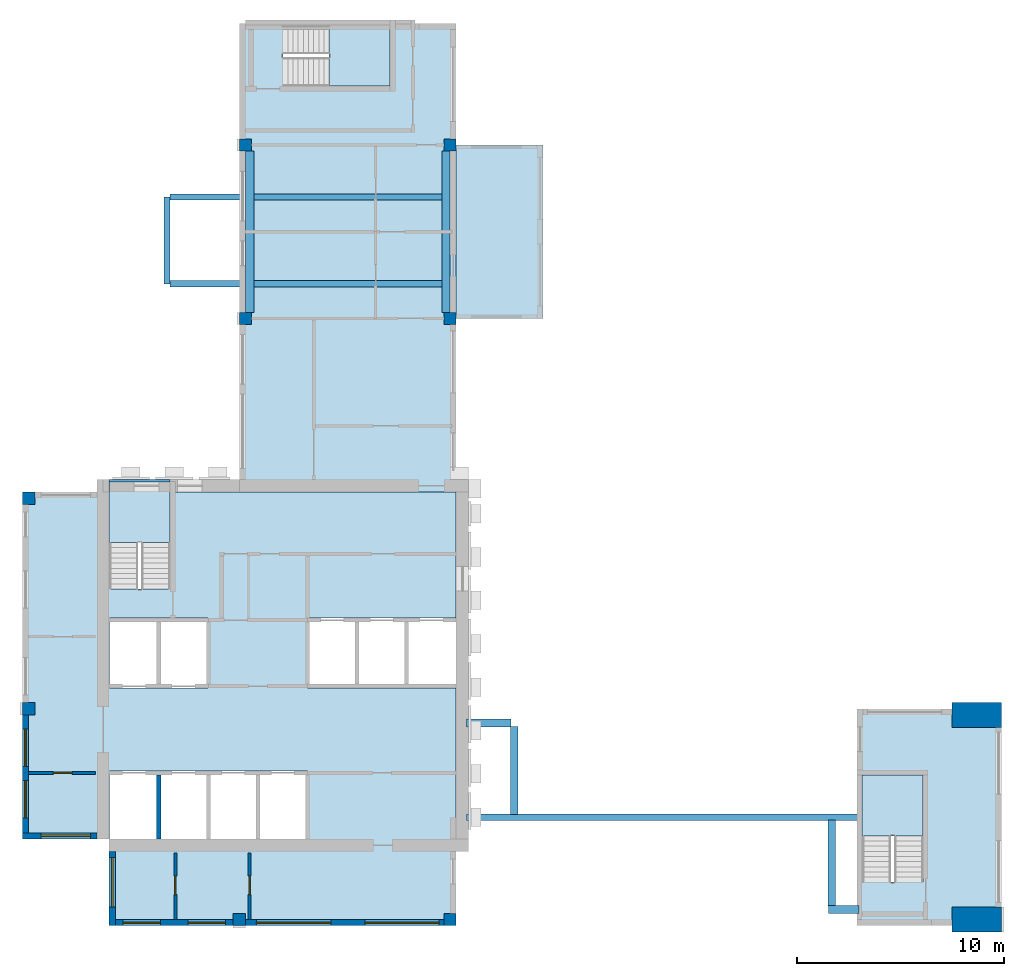
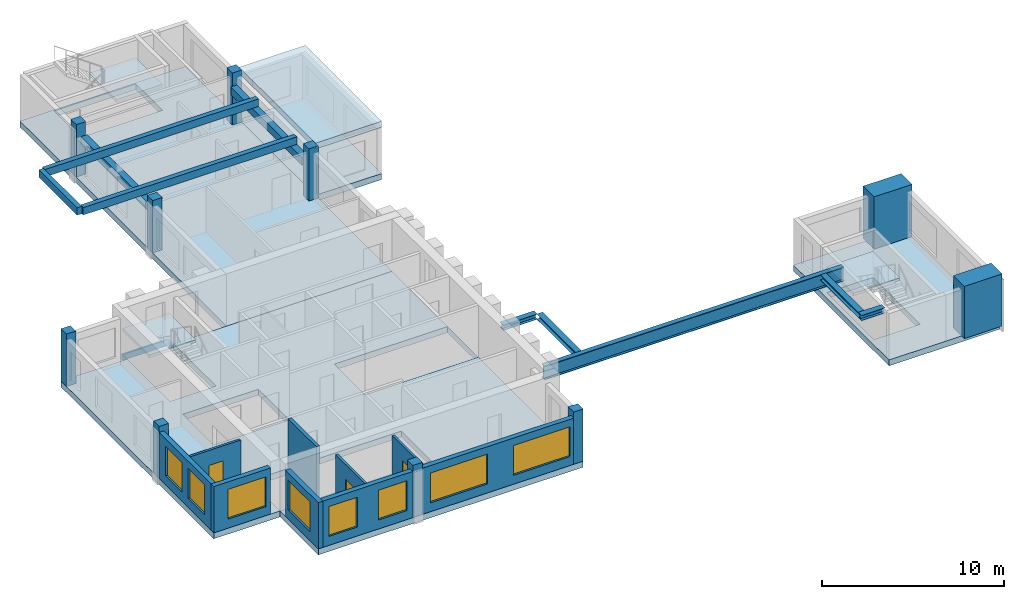
# One storey, part 1 of 8: 10 beams, 10 columns, 9 slabs, 9 walls, 8 windows, 3 doors, 11 openings, 3 elements without a shape of their own.
"""IFC4 building model written with IfcOpenShell, lengths in metres."""

import ifcopenshell
import ifcopenshell.guid

model = None  # the IFC model being written
_history = None  # IfcOwnerHistory: only IFC2X3 demands one
_inside = {}  # id of a spatial element -> (the spatial element, [elements in it])
_under = {}  # id of a project, library or spatial element -> (it, [spatial elements below it])
_declared = {}  # id of a project -> (the project, [libraries it declares])
_typed = {}  # id of a type object -> (the type object, [elements of that type])
_made_of = {}  # id of a material, layer set ... -> (it, [elements and type objects made of it])


def new_model(schema):
    """Start an empty IFC model of exactly this schema.

    Asked for "IFC4X3", IfcOpenShell would pick the latest addendum, in which some entities
    have other attributes; the version numbers below select the first issue.
    IFC2X3 requires an IfcOwnerHistory on every rooted entity: one is made here for all.
    """
    global model, _history
    if schema == "IFC4X3":
        model = ifcopenshell.file(schema_version=(4, 3, 0, 0))
    else:
        model = ifcopenshell.file(schema=schema)
    _inside.clear()
    _under.clear()
    _declared.clear()
    _typed.clear()
    _made_of.clear()
    _history = None
    if model.schema == "IFC2X3":
        org = make("IfcOrganization", Name="unknown")
        user = make(
            "IfcPersonAndOrganization",
            ThePerson=make("IfcPerson", FamilyName="unknown"),
            TheOrganization=org,
        )
        app = make(
            "IfcApplication",
            ApplicationDeveloper=org,
            Version="unknown",
            ApplicationFullName="unknown",
            ApplicationIdentifier="unknown",
        )
        _history = make(
            "IfcOwnerHistory",
            OwningUser=user,
            OwningApplication=app,
            ChangeAction="ADDED",
            CreationDate=0,
        )
    return model


def make(cls, **values):
    """One entity of the class cls with the attributes given. An attribute that is None is left unset."""
    return model.create_entity(
        cls, **{name: value for name, value in values.items() if value is not None}
    )


def rooted(cls, **values):
    """An entity with a GlobalId (a new one), such as an element, a storey or a relation."""
    return make(cls, GlobalId=ifcopenshell.guid.new(), OwnerHistory=_history, **values)


def si_unit(unit_type, name, prefix=None):
    """IfcSIUnit, for example si_unit("LENGTHUNIT", "METRE", prefix="MILLI")."""
    return make("IfcSIUnit", UnitType=unit_type, Prefix=prefix, Name=name)


def assignment(units):
    """IfcUnitAssignment: the units of a project."""
    return None if units is None else make("IfcUnitAssignment", Units=units)


def point(xyz):
    """IfcCartesianPoint."""
    return None if xyz is None else make("IfcCartesianPoint", Coordinates=xyz)


def direction(xyz):
    """IfcDirection."""
    return None if xyz is None else make("IfcDirection", DirectionRatios=xyz)


def frame(location, z_axis=None, x_axis=None):
    """IfcAxis2Placement3D, a coordinate frame: its origin and axes. An axis left out is left unset."""
    return make(
        "IfcAxis2Placement3D",
        Location=point(location),
        Axis=direction(z_axis),
        RefDirection=direction(x_axis),
    )


def frame_2d(location, x_axis=None):
    """IfcAxis2Placement2D, a coordinate frame in the plane: its origin and x axis."""
    return make(
        "IfcAxis2Placement2D", Location=point(location), RefDirection=direction(x_axis)
    )


def origin():
    """The frame at (0, 0, 0) with its axes left unset."""
    return frame((0.0, 0.0, 0.0))


def origin_2d():
    """The frame at (0, 0) in the plane with its x axis left unset."""
    return frame_2d((0.0, 0.0))


def place(relative_to, where):
    """IfcLocalPlacement: puts the frame where relative to a parent placement (None: the world)."""
    return make(
        "IfcLocalPlacement", PlacementRelTo=relative_to, RelativePlacement=where
    )


def context(
    kind, dimensions, precision=None, world=None, true_north=None, identifier=None
):
    """IfcGeometricRepresentationContext, for example the 3D "Model" context."""
    return make(
        "IfcGeometricRepresentationContext",
        ContextIdentifier=identifier,
        ContextType=kind,
        CoordinateSpaceDimension=dimensions,
        Precision=precision,
        WorldCoordinateSystem=world,
        TrueNorth=true_north,
    )


def subcontext(parent, identifier, kind, view, scale=None):
    """IfcGeometricRepresentationSubContext, for example "Body" below "Model"."""
    return make(
        "IfcGeometricRepresentationSubContext",
        ContextIdentifier=identifier,
        ContextType=kind,
        ParentContext=parent,
        TargetScale=scale,
        TargetView=view,
    )


def project(units=None, contexts=None):
    """IfcProject with its units and contexts."""
    return rooted(
        "IfcProject",
        Name="project",
        RepresentationContexts=contexts,
        UnitsInContext=assignment(units),
    )


def spatial(cls, under=None, at=None, **own):
    """A site, building, storey or space (cls), placed at a placement, below another one or the project."""
    s = rooted(cls, ObjectPlacement=at, **own)
    if under is not None:
        _under.setdefault(under.id(), (under, []))[1].append(s)
    return s


def polyline(points):
    """IfcPolyline through the points."""
    return make("IfcPolyline", Points=[point(p) for p in points])


def profile(cls, at=None, kind="AREA", **sizes):
    """A parametric profile (cls). Its sizes go by their IFC names, for example OverallWidth=200.0."""
    return make(cls, ProfileType=kind, Position=at, **sizes)


def rectangle(**sizes):
    """IfcRectangleProfileDef."""
    return profile("IfcRectangleProfileDef", **sizes)


def i_section(**sizes):
    """IfcIShapeProfileDef."""
    return profile("IfcIShapeProfileDef", **sizes)


def outline(outer, holes=None, kind="AREA"):
    """IfcArbitraryClosedProfileDef: a profile drawn as a closed curve; with holes, ...WithVoids."""
    if holes is None:
        return make("IfcArbitraryClosedProfileDef", ProfileType=kind, OuterCurve=outer)
    return make(
        "IfcArbitraryProfileDefWithVoids",
        ProfileType=kind,
        OuterCurve=outer,
        InnerCurves=holes,
    )


def extrude(swept, where, along, depth):
    """IfcExtrudedAreaSolid: the profile swept, set in the frame where, extruded along a direction by depth."""
    return make(
        "IfcExtrudedAreaSolid",
        SweptArea=swept,
        Position=where,
        ExtrudedDirection=direction(along),
        Depth=depth,
    )


def shape(context_of_items, identifier, shape_type, items):
    """IfcShapeRepresentation: the items that make up one representation, for example the "Body"."""
    return make(
        "IfcShapeRepresentation",
        ContextOfItems=context_of_items,
        RepresentationIdentifier=identifier,
        RepresentationType=shape_type,
        Items=items,
    )


def source(mapping_origin, context_of_items, identifier, shape_type, items):
    """IfcRepresentationMap: a shape defined once, which mapped items show again and again."""
    return make(
        "IfcRepresentationMap",
        MappingOrigin=mapping_origin,
        MappedRepresentation=shape(context_of_items, identifier, shape_type, items),
    )


def transform(
    local_origin,
    x_axis=None,
    y_axis=None,
    z_axis=None,
    scale=None,
    scale2=None,
    scale3=None,
    uniform=True,
):
    """IfcCartesianTransformationOperator3D, or its non-uniform kind. x_axis, y_axis, z_axis: its Axis1, 2, 3."""
    if uniform:
        return make(
            "IfcCartesianTransformationOperator3D",
            Axis1=direction(x_axis),
            Axis2=direction(y_axis),
            LocalOrigin=point(local_origin),
            Scale=scale,
            Axis3=direction(z_axis),
        )
    return make(
        "IfcCartesianTransformationOperator3DnonUniform",
        Axis1=direction(x_axis),
        Axis2=direction(y_axis),
        LocalOrigin=point(local_origin),
        Scale=scale,
        Axis3=direction(z_axis),
        Scale2=scale2,
        Scale3=scale3,
    )


def mapped(mapping_source, mapping_target):
    """IfcMappedItem: shows the shape of a source again, moved by a transform."""
    return make(
        "IfcMappedItem", MappingSource=mapping_source, MappingTarget=mapping_target
    )


def material(Name=None, Category=None):
    """IfcMaterial."""
    return make("IfcMaterial", Name=Name, Category=Category)


def layer(
    of_material, thickness, ventilated=None, Name=None, Category=None, Priority=None
):
    """IfcMaterialLayer: one layer of a wall or slab, of a material (None: an air gap)."""
    return make(
        "IfcMaterialLayer",
        Material=of_material,
        LayerThickness=thickness,
        IsVentilated=ventilated,
        Name=Name,
        Category=Category,
        Priority=Priority,
    )


def layer_set(layers, Name=None):
    """IfcMaterialLayerSet."""
    return make("IfcMaterialLayerSet", MaterialLayers=layers, LayerSetName=Name)


def material_profile(
    of_material, cross_section, Name=None, Category=None, Priority=None
):
    """IfcMaterialProfile: a cross section and its material."""
    return make(
        "IfcMaterialProfile",
        Name=Name,
        Material=of_material,
        Profile=cross_section,
        Priority=Priority,
        Category=Category,
    )


def profile_set(profiles, Name=None, composite=None):
    """IfcMaterialProfileSet."""
    return make(
        "IfcMaterialProfileSet",
        Name=Name,
        MaterialProfiles=profiles,
        CompositeProfile=composite,
    )


def made_of(thing, what):
    """Note that an element or type object is made of a material, layer set ...; save() writes the relation."""
    if what is not None:
        _made_of.setdefault(what.id(), (what, []))[1].append(thing)
    return thing


def type_object(cls, material=None, **own):
    """A type object (cls), such as IfcWallType, which elements share."""
    return made_of(rooted(cls, **own), material)


def element(
    cls,
    number,
    at=None,
    inside=None,
    cuts=None,
    type_object=None,
    material=None,
    context=None,
    identifier="Body",
    shape_type=None,
    held_by="IfcProductDefinitionShape",
    body=None,
    shapes=None,
    **own,
):
    """One element of the class cls, such as IfcWall. Its Tag is "e" and its number.

    at: its placement. inside: the storey or other place that contains it. cuts: it is an
    opening in that element (IfcRelVoidsElement). A single representation is given by context,
    identifier, shape_type and body (its items); several are given by shapes. held_by: the class
    of the entity that holds the representations. save() writes the other relations.
    """
    e = rooted(cls, Tag="e%d" % number, ObjectPlacement=at, **own)
    if body is not None:
        shapes = [shape(context, identifier, shape_type, body)]
    if shapes is not None:
        e.Representation = make(held_by, Representations=shapes)
    if inside is not None:
        _inside.setdefault(inside.id(), (inside, []))[1].append(e)
    if cuts is not None:
        rooted(
            "IfcRelVoidsElement", RelatingBuildingElement=cuts, RelatedOpeningElement=e
        )
    if type_object is not None:
        _typed.setdefault(type_object.id(), (type_object, []))[1].append(e)
    return made_of(e, material)


def fill(opening, filler):
    """IfcRelFillsElement: the door or window that sits in an opening."""
    return rooted(
        "IfcRelFillsElement",
        RelatingOpeningElement=opening,
        RelatedBuildingElement=filler,
    )


def aggregate(whole, parts):
    """IfcRelAggregates: a whole, such as a stair, and the parts it consists of."""
    return rooted("IfcRelAggregates", RelatingObject=whole, RelatedObjects=parts)


def save(model, path):
    """Write the relations noted so far, then the file.

    IfcRelAggregates (storeys below a building ...), IfcRelContainedInSpatialStructure (elements
    in a storey), IfcRelDefinesByType, IfcRelAssociatesMaterial and IfcRelDeclares: one each for
    every whole, place, type object, material and project.
    """
    for whole, parts in _under.values():
        aggregate(whole, parts)
    for where, things in _inside.values():
        rooted(
            "IfcRelContainedInSpatialStructure",
            RelatedElements=things,
            RelatingStructure=where,
        )
    for kind, things in _typed.values():
        rooted("IfcRelDefinesByType", RelatedObjects=things, RelatingType=kind)
    for what, things in _made_of.values():
        rooted("IfcRelAssociatesMaterial", RelatedObjects=things, RelatingMaterial=what)
    for by, libraries in _declared.values():
        rooted("IfcRelDeclares", RelatingContext=by, RelatedDefinitions=libraries)
    model.write(path)


model = new_model("IFC4")

# Units and contexts
model_context = context("Model", 3, precision=1e-05, world=origin(), true_north=direction((0.0, 1.0)))
body_context = subcontext(model_context, "Body", "Model", "MODEL_VIEW")
ifc_project = project(units=[si_unit("LENGTHUNIT", "METRE"), si_unit("AREAUNIT", "SQUARE_METRE"), si_unit("VOLUMEUNIT", "CUBIC_METRE"), si_unit("PLANEANGLEUNIT", "RADIAN"), si_unit("MASSUNIT", "GRAM", prefix="KILO")], contexts=[model_context])

# Site, building, storey
site_placement = place(None, origin())
site = spatial("IfcSite", under=ifc_project, at=site_placement, CompositionType="ELEMENT")
building_placement = place(site_placement, origin())
building = spatial("IfcBuilding", under=site, at=building_placement, Name="Aurelian Terraces", CompositionType="ELEMENT")
storey_placement = place(building_placement, frame((0.0, 0.0, 344.0)))
storey = spatial("IfcBuildingStorey", under=building, at=storey_placement, Name="L81", CompositionType="ELEMENT", Elevation=344.0)

# Columns
ifc_material_1 = material(Name="Concrete fc' 55 MPa", Category="concrete")
ifc_material_profile_1 = material_profile(ifc_material_1, rectangle(XDim=0.6, YDim=0.6, at=origin_2d()))
ifc_profile_set_1 = profile_set([ifc_material_profile_1], Name="Concrete fc' 55 MPa")
column_type_1 = type_object("IfcColumnType", Name="RC COLUMN 600X600 FC55", PredefinedType="COLUMN", material=ifc_profile_set_1)
shared_shape_1 = source(origin(), body_context, "Body", "SweptSolid", [
    extrude(rectangle(XDim=0.6, YDim=0.6, at=origin_2d()), origin(), (0.0, 0.0, 1.0), 3.5),
])
for number, where, z_axis, x_axis, name in (
    (1, (10.5, 0.3, 0.0), (0.0, 0.0, 1.0), (1.0, 0.0, 0.0), "Column 2/A L81"),
    (2, (20.7, 0.3, 0.0), (0.0, 0.0, 1.0), (1.0, 0.0, 0.0), "Column 3/A L81"),
    (3, (0.3, 10.5, 0.0), (0.0, 0.0, 1.0), (1.0, 0.0, 0.0), "Column 1/B L81"),
    (4, (0.3, 20.7, 0.0), (0.0, 0.0, 1.0), (1.0, 0.0, 0.0), "Column 1/C L81"),
    (5, (10.8, 29.4, 0.0), (0.0, 0.0, 1.0), (1.0, 0.0, 0.0), "Column 2/D L81"),
    (6, (20.7, 29.4, 0.0), (0.0, 0.0, 1.0), (1.0, 0.0, 0.0), "Column 3/D L81"),
    (7, (10.8, 37.8, 0.0), (0.0, 0.0, 1.0), (1.0, 0.0, 0.0), "Column 2/E L81"),
    (8, (20.7, 37.8, 0.0), (0.0, 0.0, 1.0), (1.0, 0.0, 0.0), "Column 3/E L81"),
):
    element("IfcColumn", number, at=place(storey_placement, frame(where, z_axis=z_axis, x_axis=x_axis)), inside=storey, type_object=column_type_1, Name=name, PredefinedType="COLUMN", context=body_context, shape_type="MappedRepresentation", body=[
        mapped(shared_shape_1, transform((0.0, 0.0, 0.0), scale=1.0)),
    ])
ifc_material_profile_2 = material_profile(ifc_material_1, rectangle(XDim=2.4, YDim=1.2, at=origin_2d()))
ifc_profile_set_2 = profile_set([ifc_material_profile_2], Name="Concrete fc' 55 MPa")
column_type_2 = type_object("IfcColumnType", Name="Portal jamb pilaster 2400x1200", PredefinedType="PILASTER", material=ifc_profile_set_2)
shared_shape_2 = source(origin(), body_context, "Body", "SweptSolid", [
    extrude(rectangle(XDim=2.4, YDim=1.2, at=origin_2d()), origin(), (0.0, 0.0, 1.0), 3.5),
])
for number, where, z_axis, x_axis, name in (
    (9, (46.2, 0.3, 0.0), (0.0, 0.0, 1.0), (1.0, 0.0, 0.0), "Column 6/A L81"),
    (10, (46.2, 10.2, 0.0), (0.0, 0.0, 1.0), (1.0, 0.0, 0.0), "Column 6/B L81"),
):
    element("IfcColumn", number, at=place(storey_placement, frame(where, z_axis=z_axis, x_axis=x_axis)), inside=storey, type_object=column_type_2, Name=name, PredefinedType="PILASTER", context=body_context, shape_type="MappedRepresentation", body=[
        mapped(shared_shape_2, transform((0.0, 0.0, 0.0), scale=1.0)),
    ])

# Beams
ifc_material_2 = material(Name="Steel ASTM A992 Gr50", Category="steel")
ifc_material_profile_3 = material_profile(ifc_material_2, i_section(OverallWidth=0.3077, OverallDepth=0.9268, WebThickness=0.0194, FlangeThickness=0.032, at=origin_2d()))
ifc_profile_set_3 = profile_set([ifc_material_profile_3], Name="Steel ASTM A992 Gr50")
beam_type_1 = type_object("IfcBeamType", Name="PC903 PORTAL CHORD W36X194", PredefinedType="BEAM", material=ifc_profile_set_3)
beam_1_placement = place(storey_placement, frame((21.5, 5.25, 2.6364), z_axis=(1.0, 0.0, 0.0), x_axis=(0.0, 1.0, 0.0)))
element("IfcBeam", 11, at=beam_1_placement, inside=storey, type_object=beam_type_1, Name="Link girder L82", PredefinedType="BEAM", context=body_context, shape_type="SweptSolid", body=[
    extrude(i_section(OverallWidth=0.3077, OverallDepth=0.9268, WebThickness=0.0194, FlangeThickness=0.032, at=origin_2d()), origin(), (0.0, 0.0, 1.0), 18.995),
])
ifc_material_profile_4 = material_profile(ifc_material_2, i_section(OverallWidth=0.3688, OverallDepth=0.3561, WebThickness=0.0112, FlangeThickness=0.018, at=origin_2d()))
ifc_profile_set_4 = profile_set([ifc_material_profile_4], Name="Steel ASTM A992 Gr50")
beam_type_2 = type_object("IfcBeamType", Name="PC904 PORTAL CHORD W14X90", PredefinedType="BEAM", material=ifc_profile_set_4)
beam_2_placement = place(storey_placement, frame((23.8156, 5.3839, 2.9218), z_axis=(0.0, 1.0, 0.0), x_axis=(-1.0, 0.0, 0.0)))
element("IfcBeam", 12, at=beam_2_placement, inside=storey, type_object=beam_type_2, Name="Link leg beam L82", PredefinedType="BEAM", context=body_context, shape_type="SweptSolid", body=[
    extrude(i_section(OverallWidth=0.3688, OverallDepth=0.3561, WebThickness=0.0112, FlangeThickness=0.018, at=origin_2d()), origin(), (0.0, 0.0, 1.0), 4.2673),
])
shared_shape_3 = source(origin(), body_context, "Body", "SweptSolid", [
    extrude(i_section(OverallWidth=0.3688, OverallDepth=0.3561, WebThickness=0.0112, FlangeThickness=0.018, at=origin_2d()), origin(), (0.0, 0.0, 1.0), 2.1512),
])
beam_3_placement = place(storey_placement, frame((21.5, 9.8156, 2.9218), z_axis=(1.0, 0.0, 0.0), x_axis=(0.0, 1.0, 0.0)))
element("IfcBeam", 13, at=beam_3_placement, inside=storey, type_object=beam_type_2, Name="Link leg cross beam L82", PredefinedType="BEAM", context=body_context, shape_type="MappedRepresentation", body=[
    mapped(shared_shape_3, transform((0.0, 0.0, 0.0), scale=1.0)),
])
shared_shape_4 = source(origin(), body_context, "Body", "SweptSolid", [
    extrude(i_section(OverallWidth=0.3688, OverallDepth=0.3561, WebThickness=0.0112, FlangeThickness=0.018, at=origin_2d()), origin(), (0.0, 0.0, 1.0), 4.1673),
])
beam_4_placement = place(storey_placement, frame((39.1844, 0.9488, 2.9218), z_axis=(0.0, 1.0, 0.0), x_axis=(-1.0, 0.0, 0.0)))
element("IfcBeam", 14, at=beam_4_placement, inside=storey, type_object=beam_type_2, Name="Link south leg beam L82", PredefinedType="BEAM", context=body_context, shape_type="MappedRepresentation", body=[
    mapped(shared_shape_4, transform((0.0, 0.0, 0.0), scale=1.0)),
])
shared_shape_5 = source(origin(), body_context, "Body", "SweptSolid", [
    extrude(i_section(OverallWidth=0.3688, OverallDepth=0.3561, WebThickness=0.0112, FlangeThickness=0.018, at=origin_2d()), origin(), (0.0, 0.0, 1.0), 1.475),
])
beam_5_placement = place(storey_placement, frame((39.02, 0.7844, 2.9218), z_axis=(1.0, 0.0, 0.0), x_axis=(0.0, 1.0, 0.0)))
element("IfcBeam", 15, at=beam_5_placement, inside=storey, type_object=beam_type_2, Name="Link south leg end beam L82", PredefinedType="BEAM", context=body_context, shape_type="MappedRepresentation", body=[
    mapped(shared_shape_5, transform((0.0, 0.0, 0.0), scale=1.0)),
])
ifc_material_3 = material(Name="Concrete fc' 40 MPa", Category="concrete")
ifc_material_profile_5 = material_profile(ifc_material_3, rectangle(XDim=0.3, YDim=0.5, at=origin_2d()))
ifc_profile_set_5 = profile_set([ifc_material_profile_5], Name="Concrete fc' 40 MPa")
beam_type_3 = type_object("IfcBeamType", Name="CONCRETE CANTILEVER BEAM 300X500", PredefinedType="BEAM", material=ifc_profile_set_5)
shared_shape_6 = source(origin(), body_context, "Body", "SweptSolid", [
    extrude(rectangle(XDim=0.3, YDim=0.5, at=origin_2d()), origin(), (0.0, 0.0, 1.0), 13.55),
])
for number, where, z_axis, x_axis, name in (
    (16, (7.15, 31.08, 2.85), (1.0, 0.0, 0.0), (0.0, 1.0, 0.0), "Box cantilever beam J95.1"),
    (17, (7.15, 35.28, 2.85), (1.0, 0.0, 0.0), (0.0, 1.0, 0.0), "Box cantilever beam J95.2"),
):
    element("IfcBeam", number, at=place(storey_placement, frame(where, z_axis=z_axis, x_axis=x_axis)), inside=storey, type_object=beam_type_3, Name=name, PredefinedType="BEAM", context=body_context, shape_type="MappedRepresentation", body=[
        mapped(shared_shape_6, transform((0.0, 0.0, 0.0), scale=1.0)),
    ])
shared_shape_7 = source(origin(), body_context, "Body", "SweptSolid", [
    extrude(rectangle(XDim=0.3, YDim=0.5, at=origin_2d()), origin(), (0.0, 0.0, 1.0), 4.2),
])
beam_6_placement = place(storey_placement, frame((7.0, 31.08, 2.85), z_axis=(0.0, 1.0, 0.0), x_axis=(-1.0, 0.0, 0.0)))
element("IfcBeam", 18, at=beam_6_placement, inside=storey, type_object=beam_type_3, Name="Box tip beam J95", PredefinedType="BEAM", context=body_context, shape_type="MappedRepresentation", body=[
    mapped(shared_shape_7, transform((0.0, 0.0, 0.0), scale=1.0)),
])
ifc_material_profile_6 = material_profile(ifc_material_3, rectangle(XDim=0.4, YDim=0.5, at=origin_2d()))
ifc_profile_set_6 = profile_set([ifc_material_profile_6], Name="Concrete fc' 40 MPa")
beam_type_4 = type_object("IfcBeamType", Name="CONCRETE EDGE GIRDER 400X500", PredefinedType="BEAM", material=ifc_profile_set_6)
shared_shape_8 = source(origin(), body_context, "Body", "SweptSolid", [
    extrude(rectangle(XDim=0.4, YDim=0.5, at=origin_2d()), origin(), (0.0, 0.0, 1.0), 7.8),
])
for number, where, z_axis, x_axis, name in (
    (19, (11.0, 29.7, 2.35), (0.0, 1.0, 0.0), (-1.0, 0.0, 0.0), "Box girder L81 O183"),
    (20, (20.5, 29.7, 2.35), (0.0, 1.0, 0.0), (-1.0, 0.0, 0.0), "Box girder L81 I184"),
):
    element("IfcBeam", number, at=place(storey_placement, frame(where, z_axis=z_axis, x_axis=x_axis)), inside=storey, type_object=beam_type_4, Name=name, PredefinedType="BEAM", context=body_context, shape_type="MappedRepresentation", body=[
        mapped(shared_shape_8, transform((0.0, 0.0, 0.0), scale=1.0)),
    ])

# Slabs
ifc_layer_1 = layer(ifc_material_3, 0.4)
ifc_layer_set_1 = layer_set([ifc_layer_1], Name="PT FLAT PLATE 400")
slab_type_1 = type_object("IfcSlabType", Name="PT FLAT PLATE 400", PredefinedType="FLOOR", material=ifc_layer_set_1)
shared_shape_9 = source(origin(), body_context, "Body", "SweptSolid", [
    extrude(outline(polyline([(10.5, 43.68), (14.7, 43.68), (16.8, 43.68), (21.0, 43.68), (21.0, 21.0), (10.5, 21.0), (10.5, 43.68)]), holes=[polyline([(17.79, 43.59), (12.61, 43.59), (12.61, 40.66), (17.79, 40.66), (17.79, 43.59)])]), origin(), (0.0, 0.0, 1.0), 0.4),
])
slab_1_placement = place(storey_placement, frame((0.0, 0.0, -0.4)))
element("IfcSlab", 21, at=slab_1_placement, inside=storey, type_object=slab_type_1, Name="Floor slab W L81", PredefinedType="FLOOR", context=body_context, shape_type="MappedRepresentation", body=[
    mapped(shared_shape_9, transform((0.0, 0.0, 0.0), scale=1.0)),
])
shared_shape_10 = source(origin(), body_context, "Body", "SweptSolid", [
    extrude(outline(polyline([(4.2, 21.0), (4.2, 21.6), (7.15, 21.6), (7.15, 21.0), (7.14, 21.0), (7.14, 21.49), (4.21, 21.49), (4.21, 21.0), (4.2, 21.0)])), origin(), (0.0, 0.0, 1.0), 0.4),
])
slab_2_placement = place(storey_placement, frame((0.0, 0.0, -0.4)))
element("IfcSlab", 22, at=slab_2_placement, inside=storey, type_object=slab_type_1, Name="Floor slab W2 L81", PredefinedType="FLOOR", context=body_context, shape_type="MappedRepresentation", body=[
    mapped(shared_shape_10, transform((0.0, 0.0, 0.0), scale=1.0)),
])
shared_shape_11 = source(origin(), body_context, "Body", "SweptSolid", [
    extrude(outline(polyline([(0.0, 4.2), (0.0, 10.5), (0.0, 21.0), (4.21, 21.0), (4.21, 16.31), (7.14, 16.31), (7.14, 21.0), (21.0, 21.0), (21.0, 10.5), (21.0, 0.0), (4.2, 0.0), (4.2, 4.2), (0.0, 4.2)]), holes=[polyline([(13.81, 14.89), (13.81, 11.51), (20.99, 11.51), (20.99, 14.89), (13.81, 14.89)]), polyline([(4.21, 7.49), (4.21, 4.21), (13.79, 4.21), (13.79, 7.49), (4.21, 7.49)]), polyline([(8.99, 11.51), (8.99, 14.89), (4.21, 14.89), (4.21, 11.51), (8.99, 11.51)])]), origin(), (0.0, 0.0, 1.0), 0.4),
])
slab_3_placement = place(storey_placement, frame((0.0, 0.0, -0.4)))
element("IfcSlab", 23, at=slab_3_placement, inside=storey, type_object=slab_type_1, Name="Floor slab S L81", PredefinedType="FLOOR", context=body_context, shape_type="MappedRepresentation", body=[
    mapped(shared_shape_11, transform((0.0, 0.0, 0.0), scale=1.0)),
])
shared_shape_12 = source(origin(), body_context, "Body", "SweptSolid", [
    extrude(outline(polyline([(40.4, 10.5), (47.4, 10.5), (47.4, 0.0), (40.4, 0.0), (40.4, 0.2), (40.4, 7.55), (40.4, 10.5)]), holes=[polyline([(40.66, 2.11), (43.59, 2.11), (43.59, 7.29), (40.66, 7.29), (40.66, 2.11)])]), origin(), (0.0, 0.0, 1.0), 0.4),
])
slab_4_placement = place(storey_placement, frame((0.0, 0.0, -0.4)))
element("IfcSlab", 24, at=slab_4_placement, inside=storey, type_object=slab_type_1, Name="Floor slab S2 L81", PredefinedType="FLOOR", context=body_context, shape_type="MappedRepresentation", body=[
    mapped(shared_shape_12, transform((0.0, 0.0, 0.0), scale=1.0)),
])
ifc_layer_2 = layer(ifc_material_3, 0.41)
ifc_layer_set_2 = layer_set([ifc_layer_2], Name="Box floor 410")
slab_type_2 = type_object("IfcSlabType", Name="Box floor 410", PredefinedType="NOTDEFINED", material=ifc_layer_set_2)
shared_shape_13 = source(origin(), body_context, "Body", "SweptSolid", [
    extrude(outline(polyline([(25.2, 29.4), (25.2, 37.8), (21.0, 37.8), (21.0, 29.4), (25.2, 29.4)])), origin(), (0.0, 0.0, 1.0), 0.41),
])
slab_5_placement = place(storey_placement, frame((0.0, 0.0, -0.41)))
element("IfcSlab", 25, at=slab_5_placement, inside=storey, type_object=slab_type_2, Name="Box floor L81 J94", PredefinedType="NOTDEFINED", context=body_context, shape_type="MappedRepresentation", body=[
    mapped(shared_shape_13, transform((0.0, 0.0, 0.0), scale=1.0)),
])
ifc_layer_3 = layer(ifc_material_3, 0.4)
ifc_layer_set_3 = layer_set([ifc_layer_3], Name="Box roof 400")
slab_type_3 = type_object("IfcSlabType", Name="Box roof 400", PredefinedType="ROOF", material=ifc_layer_set_3)
shared_shape_14 = source(origin(), body_context, "Body", "SweptSolid", [
    extrude(outline(polyline([(25.2, 29.4), (25.2, 37.8), (21.0, 37.8), (21.0, 29.4), (25.2, 29.4)])), origin(), (0.0, 0.0, 1.0), 0.4),
])
slab_6_placement = place(storey_placement, frame((0.0, 0.0, 3.1)))
element("IfcSlab", 26, at=slab_6_placement, inside=storey, type_object=slab_type_3, Name="Box roof J94", PredefinedType="ROOF", context=body_context, shape_type="MappedRepresentation", body=[
    mapped(shared_shape_14, transform((0.0, 0.0, 0.0), scale=1.0)),
])

# Stair, slab
stair_type = type_object("IfcStairType", Name="Stair 1400", PredefinedType="HALF_TURN_STAIR", material=ifc_material_3)
stair_1_placement = place(storey_placement, origin())
stair_1 = element("IfcStair", 27, at=stair_1_placement, inside=storey, type_object=stair_type, Name="L81 S1", PredefinedType="HALF_TURN_STAIR")
ifc_layer_4 = layer(ifc_material_3, 0.2)
ifc_layer_set_4 = layer_set([ifc_layer_4], Name="Stair landing 200")
slab_type_4 = type_object("IfcSlabType", Name="Stair landing 200", PredefinedType="LANDING", material=ifc_layer_set_4)
shared_shape_15 = source(origin(), body_context, "Body", "SweptSolid", [
    extrude(outline(polyline([(7.15, 18.55), (7.15, 21.5), (4.2, 21.5), (4.2, 18.55), (7.15, 18.55)])), origin(), (0.0, 0.0, 1.0), 0.2),
])
slab_7_placement = place(storey_placement, frame((0.0, 0.0, 1.55)))
slab_7 = element("IfcSlab", 28, at=slab_7_placement, type_object=slab_type_4, Name="S1 landing 1", PredefinedType="LANDING", context=body_context, shape_type="MappedRepresentation", body=[
    mapped(shared_shape_15, transform((0.0, 0.0, 0.0), scale=1.0)),
])
aggregate(stair_1, [slab_7])

stair_2_placement = place(storey_placement, origin())
stair_2 = element("IfcStair", 29, at=stair_2_placement, inside=storey, type_object=stair_type, Name="L81 S2", PredefinedType="HALF_TURN_STAIR")
shared_shape_16 = source(origin(), body_context, "Body", "SweptSolid", [
    extrude(outline(polyline([(43.6, 4.35), (43.6, 7.3), (40.65, 7.3), (40.65, 4.35), (43.6, 4.35)])), origin(), (0.0, 0.0, 1.0), 0.2),
])
slab_8_placement = place(storey_placement, frame((0.0, 0.0, 1.55)))
slab_8 = element("IfcSlab", 30, at=slab_8_placement, type_object=slab_type_4, Name="S2 landing 1", PredefinedType="LANDING", context=body_context, shape_type="MappedRepresentation", body=[
    mapped(shared_shape_16, transform((0.0, 0.0, 0.0), scale=1.0)),
])
aggregate(stair_2, [slab_8])

stair_3_placement = place(storey_placement, origin())
stair_3 = element("IfcStair", 31, at=stair_3_placement, inside=storey, type_object=stair_type, Name="L81 S3U", PredefinedType="HALF_TURN_STAIR")
shared_shape_17 = source(origin(), body_context, "Body", "SweptSolid", [
    extrude(outline(polyline([(14.85, 40.65), (17.8, 40.65), (17.8, 43.6), (14.85, 43.6), (14.85, 40.65)])), origin(), (0.0, 0.0, 1.0), 0.2),
])
slab_9_placement = place(storey_placement, frame((0.0, 0.0, 1.55)))
slab_9 = element("IfcSlab", 32, at=slab_9_placement, type_object=slab_type_4, Name="S3U landing 1", PredefinedType="LANDING", context=body_context, shape_type="MappedRepresentation", body=[
    mapped(shared_shape_17, transform((0.0, 0.0, 0.0), scale=1.0)),
])
aggregate(stair_3, [slab_9])

# Wall, opening, window
ifc_material_4 = material(Name="Terracotta rainscreen cladding", Category="masonry")
ifc_layer_5 = layer(ifc_material_4, 0.3)
ifc_layer_set_5 = layer_set([ifc_layer_5], Name="EW-300")
wall_type_1 = type_object("IfcWallType", Name="EW-300", PredefinedType="STANDARD", material=ifc_layer_set_5)
shared_shape_18 = source(origin(), body_context, "Body", "SweptSolid", [
    extrude(rectangle(XDim=3.6, YDim=0.3, at=frame_2d((1.8, 0.0))), origin(), (0.0, 0.0, 1.0), 3.1),
])
wall_1_placement = place(storey_placement, frame((0.0, 4.35, 0.0), z_axis=(0.0, 0.0, 1.0), x_axis=(1.0, 0.0, 0.0)))
wall_1 = element("IfcWall", 33, at=wall_1_placement, inside=storey, type_object=wall_type_1, Name="External wall L81 F11.17", PredefinedType="STANDARD", context=body_context, shape_type="MappedRepresentation", body=[
    mapped(shared_shape_18, transform((0.0, 0.0, 0.0), scale=1.0)),
])
shared_shape_19 = source(origin(), body_context, "Body", "SweptSolid", [
    extrude(rectangle(XDim=2.4, YDim=2.0, at=frame_2d((1.2, 1.0))), frame((0.0, 0.16, 0.0), z_axis=(0.0, -1.0, 0.0), x_axis=(1.0, 0.0, 0.0)), (0.0, 0.0, 1.0), 0.32),
])
opening_1_placement = place(wall_1_placement, frame((0.9, 0.0, 0.6)))
opening_1 = element("IfcOpeningElement", 34, at=opening_1_placement, cuts=wall_1, Name="Opening W2420", PredefinedType="OPENING", context=body_context, shape_type="MappedRepresentation", body=[
    mapped(shared_shape_19, transform((0.0, 0.0, 0.0), scale=1.0)),
])
ifc_material_5 = material(Name="Clear glazing", Category="glass")
window_type_1 = type_object("IfcWindowType", Name="W-2400x2000", PartitioningType="SINGLE_PANEL", PredefinedType="WINDOW", material=ifc_material_5)
shared_shape_20 = source(origin(), body_context, "Body", "SweptSolid", [
    extrude(rectangle(XDim=2.4, YDim=2.0, at=frame_2d((1.2, 1.0))), frame((0.0, 0.03, 0.0), z_axis=(0.0, -1.0, 0.0), x_axis=(1.0, 0.0, 0.0)), (0.0, 0.0, 1.0), 0.06),
])
window_1_placement = place(opening_1_placement, origin())
window_1 = element("IfcWindow", 35, at=window_1_placement, inside=storey, type_object=window_type_1, Name="Window L81 L81-F11-17-0", OverallHeight=2.0, OverallWidth=2.4, PartitioningType="SINGLE_PANEL", PredefinedType="WINDOW", context=body_context, shape_type="MappedRepresentation", body=[
    mapped(shared_shape_20, transform((0.0, 0.0, 0.0), scale=1.0)),
])
fill(opening_1, window_1)

wall_2_placement = place(storey_placement, frame((4.35, 3.6, 0.0), z_axis=(0.0, 0.0, 1.0), x_axis=(0.0, -1.0, 0.0)))
wall_2 = element("IfcWall", 36, at=wall_2_placement, inside=storey, type_object=wall_type_1, Name="External wall L81 F12.18", PredefinedType="STANDARD", context=body_context, shape_type="MappedRepresentation", body=[
    mapped(shared_shape_18, transform((0.0, 0.0, 0.0), scale=1.0)),
])
opening_2_placement = place(wall_2_placement, frame((0.3, 0.0, 0.6)))
opening_2 = element("IfcOpeningElement", 37, at=opening_2_placement, cuts=wall_2, Name="Opening W2420", PredefinedType="OPENING", context=body_context, shape_type="MappedRepresentation", body=[
    mapped(shared_shape_19, transform((0.0, 0.0, 0.0), scale=1.0)),
])
window_2_placement = place(opening_2_placement, origin())
window_2 = element("IfcWindow", 38, at=window_2_placement, inside=storey, type_object=window_type_1, Name="Window L81 L81-F12-18-0", OverallHeight=2.0, OverallWidth=2.4, PartitioningType="SINGLE_PANEL", PredefinedType="WINDOW", context=body_context, shape_type="MappedRepresentation", body=[
    mapped(shared_shape_20, transform((0.0, 0.0, 0.0), scale=1.0)),
])
fill(opening_2, window_2)

# Wall, openings, windows
shared_shape_21 = source(origin(), body_context, "Body", "SweptSolid", [
    extrude(rectangle(XDim=6.0, YDim=0.3, at=frame_2d((3.0, 0.0))), origin(), (0.0, 0.0, 1.0), 3.1),
])
wall_3_placement = place(storey_placement, frame((4.2, 0.15, 0.0), z_axis=(0.0, 0.0, 1.0), x_axis=(1.0, 0.0, 0.0)))
wall_3 = element("IfcWall", 39, at=wall_3_placement, inside=storey, type_object=wall_type_1, Name="External wall L81 F01.1", PredefinedType="STANDARD", context=body_context, shape_type="MappedRepresentation", body=[
    mapped(shared_shape_21, transform((0.0, 0.0, 0.0), scale=1.0)),
])
shared_shape_22 = source(origin(), body_context, "Body", "SweptSolid", [
    extrude(rectangle(XDim=1.8, YDim=2.0, at=frame_2d((0.9, 1.0))), frame((0.0, 0.16, 0.0), z_axis=(0.0, -1.0, 0.0), x_axis=(1.0, 0.0, 0.0)), (0.0, 0.0, 1.0), 0.32),
])
opening_3_placement = place(wall_3_placement, frame((0.675, 0.0, 0.6)))
opening_3 = element("IfcOpeningElement", 40, at=opening_3_placement, cuts=wall_3, Name="Opening W1820", PredefinedType="OPENING", context=body_context, shape_type="MappedRepresentation", body=[
    mapped(shared_shape_22, transform((0.0, 0.0, 0.0), scale=1.0)),
])
opening_4_placement = place(wall_3_placement, frame((3.825, 0.0, 0.6)))
opening_4 = element("IfcOpeningElement", 41, at=opening_4_placement, cuts=wall_3, Name="Opening W1820", PredefinedType="OPENING", context=body_context, shape_type="MappedRepresentation", body=[
    mapped(shared_shape_22, transform((0.0, 0.0, 0.0), scale=1.0)),
])
window_type_2 = type_object("IfcWindowType", Name="W-1800x2000", PartitioningType="SINGLE_PANEL", PredefinedType="WINDOW", material=ifc_material_5)
shared_shape_23 = source(origin(), body_context, "Body", "SweptSolid", [
    extrude(rectangle(XDim=1.8, YDim=2.0, at=frame_2d((0.9, 1.0))), frame((0.0, 0.03, 0.0), z_axis=(0.0, -1.0, 0.0), x_axis=(1.0, 0.0, 0.0)), (0.0, 0.0, 1.0), 0.06),
])
window_3_placement = place(opening_3_placement, origin())
window_3 = element("IfcWindow", 42, at=window_3_placement, inside=storey, type_object=window_type_2, Name="Window L81 L81-F01-01-0", OverallHeight=2.0, OverallWidth=1.8, PartitioningType="SINGLE_PANEL", PredefinedType="WINDOW", context=body_context, shape_type="MappedRepresentation", body=[
    mapped(shared_shape_23, transform((0.0, 0.0, 0.0), scale=1.0)),
])
fill(opening_3, window_3)
window_4_placement = place(opening_4_placement, origin())
window_4 = element("IfcWindow", 43, at=window_4_placement, inside=storey, type_object=window_type_2, Name="Window L81 L81-F01-01-1", OverallHeight=2.0, OverallWidth=1.8, PartitioningType="SINGLE_PANEL", PredefinedType="WINDOW", context=body_context, shape_type="MappedRepresentation", body=[
    mapped(shared_shape_23, transform((0.0, 0.0, 0.0), scale=1.0)),
])
fill(opening_4, window_4)

wall_4_placement = place(storey_placement, frame((0.15, 10.2, 0.0), z_axis=(0.0, 0.0, 1.0), x_axis=(0.0, -1.0, 0.0)))
wall_4 = element("IfcWall", 44, at=wall_4_placement, inside=storey, type_object=wall_type_1, Name="External wall L81 F10.16", PredefinedType="STANDARD", context=body_context, shape_type="MappedRepresentation", body=[
    mapped(shared_shape_21, transform((0.0, 0.0, 0.0), scale=1.0)),
])
opening_5_placement = place(wall_4_placement, frame((3.175, 0.0, 0.6)))
opening_5 = element("IfcOpeningElement", 45, at=opening_5_placement, cuts=wall_4, Name="Opening W1820", PredefinedType="OPENING", context=body_context, shape_type="MappedRepresentation", body=[
    mapped(shared_shape_22, transform((0.0, 0.0, 0.0), scale=1.0)),
])
opening_6_placement = place(wall_4_placement, frame((0.6875, 0.0, 0.6)))
opening_6 = element("IfcOpeningElement", 46, at=opening_6_placement, cuts=wall_4, Name="Opening W1820", PredefinedType="OPENING", context=body_context, shape_type="MappedRepresentation", body=[
    mapped(shared_shape_22, transform((0.0, 0.0, 0.0), scale=1.0)),
])
window_5_placement = place(opening_5_placement, origin())
window_5 = element("IfcWindow", 47, at=window_5_placement, inside=storey, type_object=window_type_2, Name="Window L81 L81-F10-16-3", OverallHeight=2.0, OverallWidth=1.8, PartitioningType="SINGLE_PANEL", PredefinedType="WINDOW", context=body_context, shape_type="MappedRepresentation", body=[
    mapped(shared_shape_23, transform((0.0, 0.0, 0.0), scale=1.0)),
])
fill(opening_5, window_5)
window_6_placement = place(opening_6_placement, origin())
window_6 = element("IfcWindow", 48, at=window_6_placement, inside=storey, type_object=window_type_2, Name="Window L81 L81-F10-16-G1-108", OverallHeight=2.0, OverallWidth=1.8, PartitioningType="SINGLE_PANEL", PredefinedType="WINDOW", context=body_context, shape_type="MappedRepresentation", body=[
    mapped(shared_shape_23, transform((0.0, 0.0, 0.0), scale=1.0)),
])
fill(opening_6, window_6)

shared_shape_24 = source(origin(), body_context, "Body", "SweptSolid", [
    extrude(rectangle(XDim=9.6, YDim=0.3, at=frame_2d((4.8, 0.0))), origin(), (0.0, 0.0, 1.0), 3.1),
])
wall_5_placement = place(storey_placement, frame((10.8, 0.15, 0.0), z_axis=(0.0, 0.0, 1.0), x_axis=(1.0, 0.0, 0.0)))
wall_5 = element("IfcWall", 49, at=wall_5_placement, inside=storey, type_object=wall_type_1, Name="External wall L81 F01.2", PredefinedType="STANDARD", context=body_context, shape_type="MappedRepresentation", body=[
    mapped(shared_shape_24, transform((0.0, 0.0, 0.0), scale=1.0)),
])
shared_shape_25 = source(origin(), body_context, "Body", "SweptSolid", [
    extrude(rectangle(XDim=3.6, YDim=2.0, at=frame_2d((1.8, 1.0))), frame((0.0, 0.16, 0.0), z_axis=(0.0, -1.0, 0.0), x_axis=(1.0, 0.0, 0.0)), (0.0, 0.0, 1.0), 0.32),
])
opening_7_placement = place(wall_5_placement, frame((0.525, 0.0, 0.6)))
opening_7 = element("IfcOpeningElement", 50, at=opening_7_placement, cuts=wall_5, Name="Opening W3620", PredefinedType="OPENING", context=body_context, shape_type="MappedRepresentation", body=[
    mapped(shared_shape_25, transform((0.0, 0.0, 0.0), scale=1.0)),
])
opening_8_placement = place(wall_5_placement, frame((5.775, 0.0, 0.6)))
opening_8 = element("IfcOpeningElement", 51, at=opening_8_placement, cuts=wall_5, Name="Opening W3620", PredefinedType="OPENING", context=body_context, shape_type="MappedRepresentation", body=[
    mapped(shared_shape_25, transform((0.0, 0.0, 0.0), scale=1.0)),
])
window_type_3 = type_object("IfcWindowType", Name="W-3600x2000", PartitioningType="SINGLE_PANEL", PredefinedType="WINDOW", material=ifc_material_5)
shared_shape_26 = source(origin(), body_context, "Body", "SweptSolid", [
    extrude(rectangle(XDim=3.6, YDim=2.0, at=frame_2d((1.8, 1.0))), frame((0.0, 0.03, 0.0), z_axis=(0.0, -1.0, 0.0), x_axis=(1.0, 0.0, 0.0)), (0.0, 0.0, 1.0), 0.06),
])
window_7_placement = place(opening_7_placement, origin())
window_7 = element("IfcWindow", 52, at=window_7_placement, inside=storey, type_object=window_type_3, Name="Window L81 L81-F01-02-0", OverallHeight=2.0, OverallWidth=3.6, PartitioningType="SINGLE_PANEL", PredefinedType="WINDOW", context=body_context, shape_type="MappedRepresentation", body=[
    mapped(shared_shape_26, transform((0.0, 0.0, 0.0), scale=1.0)),
])
fill(opening_7, window_7)
window_8_placement = place(opening_8_placement, origin())
window_8 = element("IfcWindow", 53, at=window_8_placement, inside=storey, type_object=window_type_3, Name="Window L81 L81-F01-02-1", OverallHeight=2.0, OverallWidth=3.6, PartitioningType="SINGLE_PANEL", PredefinedType="WINDOW", context=body_context, shape_type="MappedRepresentation", body=[
    mapped(shared_shape_26, transform((0.0, 0.0, 0.0), scale=1.0)),
])
fill(opening_8, window_8)

# Wall
ifc_layer_6 = layer(ifc_material_3, 0.2)
ifc_layer_set_6 = layer_set([ifc_layer_6], Name="Lift shaft wall 200")
wall_type_2 = type_object("IfcWallType", Name="Lift shaft wall 200", PredefinedType="SOLIDWALL", material=ifc_layer_set_6)
shared_shape_27 = source(origin(), body_context, "Body", "SweptSolid", [
    extrude(rectangle(XDim=3.1, YDim=0.2, at=frame_2d((1.55, 0.0))), origin(), (0.0, 0.0, 1.0), 3.5),
])
wall_6_placement = place(storey_placement, frame((6.6, 4.2, 0.0), z_axis=(0.0, 0.0, 1.0), x_axis=(0.0, 1.0, 0.0)))
element("IfcWall", 54, at=wall_6_placement, inside=storey, type_object=wall_type_2, Name="L81 core wall CD-A1", PredefinedType="SOLIDWALL", context=body_context, shape_type="MappedRepresentation", body=[
    mapped(shared_shape_27, transform((0.0, 0.0, 0.0), scale=1.0)),
])

# Wall, opening, door
ifc_material_6 = material(Name="Gypsum board on steel studs", Category="steel")
ifc_layer_7 = layer(ifc_material_6, 0.15)
ifc_layer_set_7 = layer_set([ifc_layer_7], Name="Partition 150")
wall_type_3 = type_object("IfcWallType", Name="Partition 150", PredefinedType="PARTITIONING", material=ifc_layer_set_7)
shared_shape_28 = source(origin(), body_context, "Body", "SweptSolid", [
    extrude(rectangle(XDim=3.225, YDim=0.15, at=frame_2d((1.6125, 0.0))), origin(), (0.0, 0.0, 1.0), 3.1),
])
wall_7_placement = place(storey_placement, frame((7.4, 3.525, 0.0), z_axis=(0.0, 0.0, 1.0), x_axis=(0.0, -1.0, 0.0)))
wall_7 = element("IfcWall", 55, at=wall_7_placement, inside=storey, type_object=wall_type_3, Name="Partition", PredefinedType="PARTITIONING", context=body_context, shape_type="MappedRepresentation", body=[
    mapped(shared_shape_28, transform((0.0, 0.0, 0.0), scale=1.0)),
])
shared_shape_29 = source(origin(), body_context, "Body", "SweptSolid", [
    extrude(rectangle(XDim=0.9, YDim=2.1, at=frame_2d((0.45, 1.05))), frame((0.0, 0.085, 0.0), z_axis=(0.0, -1.0, 0.0), x_axis=(1.0, 0.0, 0.0)), (0.0, 0.0, 1.0), 0.17),
])
opening_9_placement = place(wall_7_placement, frame((1.125, 0.0, 0.0)))
opening_9 = element("IfcOpeningElement", 56, at=opening_9_placement, cuts=wall_7, Name="Opening 781001", PredefinedType="OPENING", context=body_context, shape_type="MappedRepresentation", body=[
    mapped(shared_shape_29, transform((0.0, 0.0, 0.0), scale=1.0)),
])
ifc_material_7 = material(Name="Timber door leaf", Category="wood")
door_type_1 = type_object("IfcDoorType", Name="Room door 900x2100 left", OperationType="SINGLE_SWING_LEFT", PredefinedType="DOOR", material=ifc_material_7)
shared_shape_30 = source(origin(), body_context, "Body", "SweptSolid", [
    extrude(rectangle(XDim=0.9, YDim=2.1, at=frame_2d((0.45, 1.05))), frame((0.0, 0.025, 0.0), z_axis=(0.0, -1.0, 0.0), x_axis=(1.0, 0.0, 0.0)), (0.0, 0.0, 1.0), 0.05),
])
door_1_placement = place(opening_9_placement, origin())
door_1 = element("IfcDoor", 57, at=door_1_placement, inside=storey, type_object=door_type_1, Name="Door 781001", OperationType="SINGLE_SWING_LEFT", OverallHeight=2.1, OverallWidth=0.9, PredefinedType="DOOR", context=body_context, shape_type="MappedRepresentation", body=[
    mapped(shared_shape_30, transform((0.0, 0.0, 0.0), scale=1.0)),
])
fill(opening_9, door_1)

wall_8_placement = place(storey_placement, frame((11.0, 3.525, 0.0), z_axis=(0.0, 0.0, 1.0), x_axis=(0.0, -1.0, 0.0)))
wall_8 = element("IfcWall", 58, at=wall_8_placement, inside=storey, type_object=wall_type_3, Name="Partition", PredefinedType="PARTITIONING", context=body_context, shape_type="MappedRepresentation", body=[
    mapped(shared_shape_28, transform((0.0, 0.0, 0.0), scale=1.0)),
])
opening_10_placement = place(wall_8_placement, frame((1.125, 0.0, 0.0)))
opening_10 = element("IfcOpeningElement", 59, at=opening_10_placement, cuts=wall_8, Name="Opening 781002", PredefinedType="OPENING", context=body_context, shape_type="MappedRepresentation", body=[
    mapped(shared_shape_29, transform((0.0, 0.0, 0.0), scale=1.0)),
])
door_type_2 = type_object("IfcDoorType", Name="Room door 900x2100 right", OperationType="SINGLE_SWING_RIGHT", PredefinedType="DOOR", material=ifc_material_7)
door_2_placement = place(opening_10_placement, origin())
door_2 = element("IfcDoor", 60, at=door_2_placement, inside=storey, type_object=door_type_2, Name="Door 781002", OperationType="SINGLE_SWING_RIGHT", OverallHeight=2.1, OverallWidth=0.9, PredefinedType="DOOR", context=body_context, shape_type="MappedRepresentation", body=[
    mapped(shared_shape_30, transform((0.0, 0.0, 0.0), scale=1.0)),
])
fill(opening_10, door_2)

wall_9_placement = place(storey_placement, frame((0.3, 7.4, 0.0), z_axis=(0.0, 0.0, 1.0), x_axis=(1.0, 0.0, 0.0)))
wall_9 = element("IfcWall", 61, at=wall_9_placement, inside=storey, type_object=wall_type_3, Name="Partition", PredefinedType="PARTITIONING", context=body_context, shape_type="MappedRepresentation", body=[
    mapped(shared_shape_28, transform((0.0, 0.0, 0.0), scale=1.0)),
])
opening_11_placement = place(wall_9_placement, frame((1.2, 0.0, 0.0)))
opening_11 = element("IfcOpeningElement", 62, at=opening_11_placement, cuts=wall_9, Name="Opening 781003", PredefinedType="OPENING", context=body_context, shape_type="MappedRepresentation", body=[
    mapped(shared_shape_29, transform((0.0, 0.0, 0.0), scale=1.0)),
])
door_3_placement = place(opening_11_placement, origin())
door_3 = element("IfcDoor", 63, at=door_3_placement, inside=storey, type_object=door_type_1, Name="Door 781003", OperationType="SINGLE_SWING_LEFT", OverallHeight=2.1, OverallWidth=0.9, PredefinedType="DOOR", context=body_context, shape_type="MappedRepresentation", body=[
    mapped(shared_shape_30, transform((0.0, 0.0, 0.0), scale=1.0)),
])
fill(opening_11, door_3)

save(model, "model.ifc")
